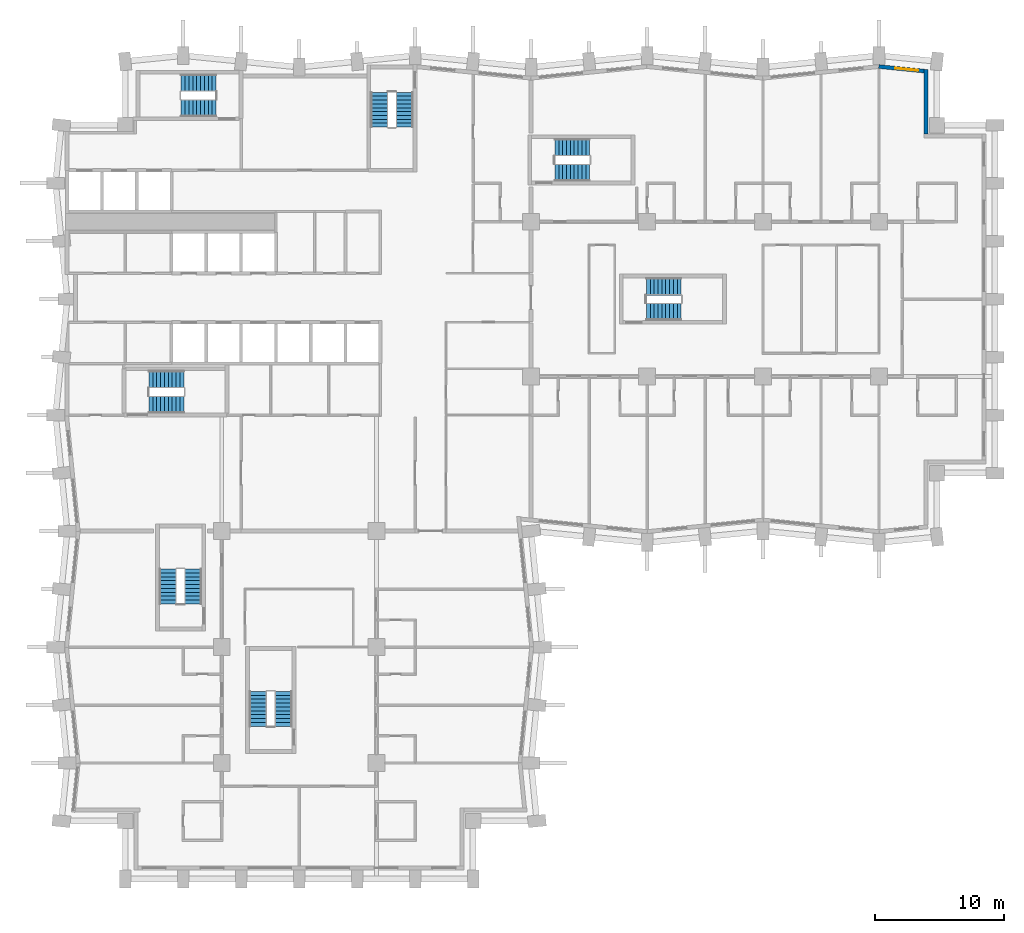
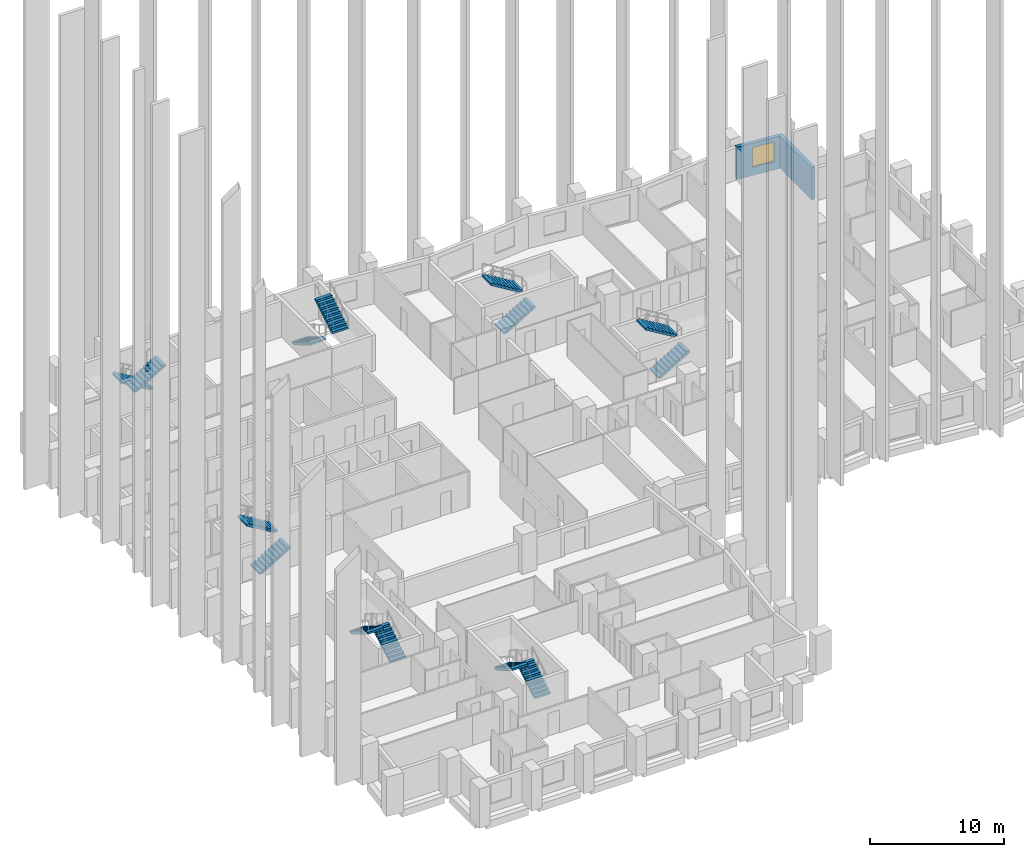
# One storey, part 11 of 13: 14 stair flights, 2 walls, 1 window, 1 opening, 7 elements without a shape of their own.
"""IFC4 building model written with IfcOpenShell, lengths in metres."""

from ifc_helpers import new_model, si_unit, direction, frame, frame_2d, origin, place, context, subcontext, project, spatial, polyline, rectangle, outline, extrude, material, layer, layer_set, type_object, element, fill, aggregate, save


model = new_model("IFC4")

# Units and contexts
model_context = context("Model", 3, precision=1e-05, world=origin(), true_north=direction((0.0, 1.0)))
body_context = subcontext(model_context, "Body", "Model", "MODEL_VIEW")
ifc_project = project(units=[si_unit("LENGTHUNIT", "METRE"), si_unit("AREAUNIT", "SQUARE_METRE"), si_unit("VOLUMEUNIT", "CUBIC_METRE"), si_unit("PLANEANGLEUNIT", "RADIAN"), si_unit("MASSUNIT", "GRAM", prefix="KILO")], contexts=[model_context])

# Site, building, storey
site_placement = place(None, origin())
site = spatial("IfcSite", under=ifc_project, at=site_placement, CompositionType="ELEMENT")
building_placement = place(site_placement, origin())
building = spatial("IfcBuilding", under=site, at=building_placement, Name="Brondeck Convention Tower", CompositionType="ELEMENT")
storey_placement = place(building_placement, frame((0.0, 0.0, 37.5)))
storey = spatial("IfcBuildingStorey", under=building, at=storey_placement, Name="L06", CompositionType="ELEMENT", Elevation=37.5)

# Wall
ifc_material_1 = material(Name="Precast concrete C50/60 bronze finish", Category="concrete")
ifc_layer_1 = layer(ifc_material_1, 0.070068359375, Name="Bronze precast facing")
ifc_material_2 = material(Name="Mineral wool")
ifc_layer_2 = layer(ifc_material_2, 0.159912109375, Name="Insulation")
ifc_material_3 = material(Name="Concrete C35/45", Category="concrete")
ifc_layer_3 = layer(ifc_material_3, 0.070068359375, Name="Backing")
ifc_layer_set = layer_set([ifc_layer_1, ifc_layer_2, ifc_layer_3], Name="External infill wall, precast concrete C50/60 bronze facing")
wall_type = type_object("IfcWallType", Name="External infill wall, precast concrete C50/60 bronze facing", PredefinedType="SOLIDWALL", material=ifc_layer_set)
wall_1_placement = place(storey_placement, frame((66.64990234375, 62.81640625, 0.0), z_axis=(0.0, 0.0, 1.0), x_axis=(0.0, -1.0, 0.0)))
element("IfcWall", 1, at=wall_1_placement, inside=storey, type_object=wall_type, Name="ENV-EW-L06-P0-NC-NEA72-02", PredefinedType="SOLIDWALL", context=body_context, shape_type="SweptSolid", body=[
    extrude(rectangle(XDim=5.018310546875, YDim=0.300048828125, at=frame_2d((2.50927734375, 0.0))), origin(), (0.0, 0.0, 1.0), 2.949951171875),
])

# Wall, opening, window
wall_2_placement = place(storey_placement, frame((62.985107421875, 63.04736328125, 0.0), z_axis=(0.0, 0.0, 1.0), x_axis=(0.995031712439, -0.099558481511, 0.0)))
wall_2 = element("IfcWall", 2, at=wall_2_placement, inside=storey, type_object=wall_type, Name="ENV-EW-L06-P0-A-N-14", PredefinedType="SOLIDWALL", context=body_context, shape_type="SweptSolid", body=[
    extrude(rectangle(XDim=3.53125, YDim=0.300048828125, at=frame_2d((1.765625, 0.0))), origin(), (0.0, 0.0, 1.0), 2.949951171875),
])
opening_placement = place(wall_2_placement, frame((1.291259765625, 0.0, 0.75)))
opening = element("IfcOpeningElement", 3, at=opening_placement, cuts=wall_2, Name="Opening W10", PredefinedType="OPENING", context=body_context, shape_type="SweptSolid", body=[
    extrude(rectangle(XDim=1.800048828125, YDim=1.800048828125, at=frame_2d((0.89990234375, 0.89990234375))), frame((0.0, 0.159912109375, 0.0), z_axis=(0.0, -1.0, 0.0), x_axis=(1.0, 0.0, 0.0)), (0.0, 0.0, 1.0), 0.320068359375),
])
ifc_material_4 = material(Name="Bronze tinted double glazing", Category="glass")
window_type = type_object("IfcWindowType", Name="Punched window, bronze tinted", PartitioningType="SINGLE_PANEL", PredefinedType="WINDOW", material=ifc_material_4)
window_placement = place(opening_placement, origin())
window = element("IfcWindow", 4, at=window_placement, inside=storey, type_object=window_type, Name="ENV-WN-L06-P0-A-N-14", OverallHeight=1.800048828125, OverallWidth=1.800048828125, PartitioningType="SINGLE_PANEL", PredefinedType="WINDOW", context=body_context, shape_type="SweptSolid", body=[
    extrude(rectangle(XDim=1.800048828125, YDim=1.800048828125, at=frame_2d((0.89990234375, 0.89990234375))), frame((0.0, 0.030029296875, 0.0), z_axis=(0.0, -1.0, 0.0), x_axis=(1.0, 0.0, 0.0)), (0.0, 0.0, 1.0), 0.06005859375),
])
fill(opening, window)

# Stair, stair flights
ifc_material_5 = material(Name="Precast concrete C50/60", Category="concrete")
stair_type = type_object("IfcStairType", Name="Core stair 20 risers 180.00 mm riser 300 mm going 1350 wide", PredefinedType="HALF_TURN_STAIR", material=ifc_material_5)
stair_1_placement = place(storey_placement, origin())
stair_1 = element("IfcStair", 5, at=stair_1_placement, inside=storey, type_object=stair_type, Name="ST-1 L06 stair", PredefinedType="HALF_TURN_STAIR")
stair_flight_type = type_object("IfcStairFlightType", Name="Core stair flight 20 risers 180.00 mm riser 300 mm going 1350 wide", PredefinedType="STRAIGHT", material=ifc_material_5)
stair_flight_1_placement = place(storey_placement, frame((6.35009765625, 36.824951171875, 0.0), z_axis=(0.0, 0.0, 1.0), x_axis=(1.0, 0.0, 0.0)))
stair_flight_1 = element("IfcStairFlight", 6, at=stair_flight_1_placement, type_object=stair_flight_type, Name="ST-1 flight 1", NumberOfRisers=10, NumberOfTreads=9, PredefinedType="STRAIGHT", RiserHeight=0.18, TreadLength=0.3, context=body_context, shape_type="SweptSolid", body=[
    extrude(outline(polyline([(0.0, 0.0), (0.0, 0.179931640625), (0.300048828125, 0.179931640625), (0.300048828125, 0.360107421875), (0.60009765625, 0.360107421875), (0.60009765625, 0.5400390625), (0.89990234375, 0.5400390625), (0.89990234375, 0.719970703125), (1.199951171875, 0.719970703125), (1.199951171875, 0.89990234375), (1.5, 0.89990234375), (1.5, 1.080078125), (1.800048828125, 1.080078125), (1.800048828125, 1.260009765625), (2.10009765625, 1.260009765625), (2.10009765625, 1.43994140625), (2.39990234375, 1.43994140625), (2.39990234375, 1.6201171875), (2.699951171875, 1.6201171875), (2.699951171875, 1.800048828125), (2.699951171875, 1.445068359375), (0.291259765625, 0.0), (0.0, 0.0)])), frame((0.0, 0.675048828125, 0.0), z_axis=(0.0, -1.0, 0.0), x_axis=(1.0, 0.0, 0.0)), (0.0, 0.0, 1.0), 1.35009765625),
])
stair_flight_2_placement = place(storey_placement, frame((9.050048828125, 38.77490234375, 1.800048828125), z_axis=(0.0, 0.0, 1.0), x_axis=(-1.0, 0.0, 0.0)))
stair_flight_2 = element("IfcStairFlight", 7, at=stair_flight_2_placement, type_object=stair_flight_type, Name="ST-1 flight 2", NumberOfRisers=10, NumberOfTreads=9, PredefinedType="STRAIGHT", RiserHeight=0.18, TreadLength=0.3, context=body_context, shape_type="SweptSolid", body=[
    extrude(outline(polyline([(0.0, 0.0), (0.0, 0.179931640625), (0.300048828125, 0.179931640625), (0.300048828125, 0.360107421875), (0.60009765625, 0.360107421875), (0.60009765625, 0.5400390625), (0.89990234375, 0.5400390625), (0.89990234375, 0.719970703125), (1.199951171875, 0.719970703125), (1.199951171875, 0.89990234375), (1.5, 0.89990234375), (1.5, 1.080078125), (1.800048828125, 1.080078125), (1.800048828125, 1.260009765625), (2.10009765625, 1.260009765625), (2.10009765625, 1.43994140625), (2.39990234375, 1.43994140625), (2.39990234375, 1.6201171875), (2.699951171875, 1.6201171875), (2.699951171875, 1.800048828125), (2.699951171875, 1.445068359375), (0.291259765625, 0.0), (0.0, 0.0)])), frame((0.0, 0.675048828125, 0.0), z_axis=(0.0, -1.0, 0.0), x_axis=(1.0, 0.0, 0.0)), (0.0, 0.0, 1.0), 1.35009765625),
])
aggregate(stair_1, [stair_flight_1, stair_flight_2])

stair_2_placement = place(storey_placement, origin())
stair_2 = element("IfcStair", 8, at=stair_2_placement, inside=storey, type_object=stair_type, Name="ST-2 L06 stair", PredefinedType="HALF_TURN_STAIR")
stair_flight_3_placement = place(storey_placement, frame((24.22509765625, 61.050048828125, 0.0), z_axis=(0.0, 0.0, 1.0), x_axis=(0.0, -1.0, 0.0)))
stair_flight_3 = element("IfcStairFlight", 9, at=stair_flight_3_placement, type_object=stair_flight_type, Name="ST-2 flight 1", NumberOfRisers=10, NumberOfTreads=9, PredefinedType="STRAIGHT", RiserHeight=0.18, TreadLength=0.3, context=body_context, shape_type="SweptSolid", body=[
    extrude(outline(polyline([(0.0, 0.0), (0.0, 0.179931640625), (0.300048828125, 0.179931640625), (0.300048828125, 0.360107421875), (0.60009765625, 0.360107421875), (0.60009765625, 0.5400390625), (0.89990234375, 0.5400390625), (0.89990234375, 0.719970703125), (1.199951171875, 0.719970703125), (1.199951171875, 0.89990234375), (1.5, 0.89990234375), (1.5, 1.080078125), (1.800048828125, 1.080078125), (1.800048828125, 1.260009765625), (2.10009765625, 1.260009765625), (2.10009765625, 1.43994140625), (2.39990234375, 1.43994140625), (2.39990234375, 1.6201171875), (2.699951171875, 1.6201171875), (2.699951171875, 1.800048828125), (2.699951171875, 1.445068359375), (0.291259765625, 0.0), (0.0, 0.0)])), frame((0.0, 0.675048828125, 0.0), z_axis=(0.0, -1.0, 0.0), x_axis=(1.0, 0.0, 0.0)), (0.0, 0.0, 1.0), 1.35009765625),
])
stair_flight_4_placement = place(storey_placement, frame((26.175048828125, 58.35009765625, 1.800048828125), z_axis=(0.0, 0.0, 1.0), x_axis=(0.0, 1.0, 0.0)))
stair_flight_4 = element("IfcStairFlight", 10, at=stair_flight_4_placement, type_object=stair_flight_type, Name="ST-2 flight 2", NumberOfRisers=10, NumberOfTreads=9, PredefinedType="STRAIGHT", RiserHeight=0.18, TreadLength=0.3, context=body_context, shape_type="SweptSolid", body=[
    extrude(outline(polyline([(0.0, 0.0), (0.0, 0.179931640625), (0.300048828125, 0.179931640625), (0.300048828125, 0.360107421875), (0.60009765625, 0.360107421875), (0.60009765625, 0.5400390625), (0.89990234375, 0.5400390625), (0.89990234375, 0.719970703125), (1.199951171875, 0.719970703125), (1.199951171875, 0.89990234375), (1.5, 0.89990234375), (1.5, 1.080078125), (1.800048828125, 1.080078125), (1.800048828125, 1.260009765625), (2.10009765625, 1.260009765625), (2.10009765625, 1.43994140625), (2.39990234375, 1.43994140625), (2.39990234375, 1.6201171875), (2.699951171875, 1.6201171875), (2.699951171875, 1.800048828125), (2.699951171875, 1.445068359375), (0.291259765625, 0.0), (0.0, 0.0)])), frame((0.0, 0.675048828125, 0.0), z_axis=(0.0, -1.0, 0.0), x_axis=(1.0, 0.0, 0.0)), (0.0, 0.0, 1.0), 1.35009765625),
])
aggregate(stair_2, [stair_flight_3, stair_flight_4])

stair_3_placement = place(storey_placement, origin())
stair_3 = element("IfcStair", 11, at=stair_3_placement, inside=storey, type_object=stair_type, Name="ST-3 L06 stair", PredefinedType="HALF_TURN_STAIR")
stair_flight_5_placement = place(storey_placement, frame((11.550048828125, 61.77490234375, 0.0), z_axis=(0.0, 0.0, 1.0), x_axis=(-1.0, 0.0, 0.0)))
stair_flight_5 = element("IfcStairFlight", 12, at=stair_flight_5_placement, type_object=stair_flight_type, Name="ST-3 flight 1", NumberOfRisers=10, NumberOfTreads=9, PredefinedType="STRAIGHT", RiserHeight=0.18, TreadLength=0.3, context=body_context, shape_type="SweptSolid", body=[
    extrude(outline(polyline([(0.0, 0.0), (0.0, 0.179931640625), (0.300048828125, 0.179931640625), (0.300048828125, 0.360107421875), (0.60009765625, 0.360107421875), (0.60009765625, 0.5400390625), (0.89990234375, 0.5400390625), (0.89990234375, 0.719970703125), (1.199951171875, 0.719970703125), (1.199951171875, 0.89990234375), (1.5, 0.89990234375), (1.5, 1.080078125), (1.800048828125, 1.080078125), (1.800048828125, 1.260009765625), (2.10009765625, 1.260009765625), (2.10009765625, 1.43994140625), (2.39990234375, 1.43994140625), (2.39990234375, 1.6201171875), (2.699951171875, 1.6201171875), (2.699951171875, 1.800048828125), (2.699951171875, 1.445068359375), (0.291259765625, 0.0), (0.0, 0.0)])), frame((0.0, 0.675048828125, 0.0), z_axis=(0.0, -1.0, 0.0), x_axis=(1.0, 0.0, 0.0)), (0.0, 0.0, 1.0), 1.35009765625),
])
stair_flight_6_placement = place(storey_placement, frame((8.85009765625, 59.824951171875, 1.800048828125), z_axis=(0.0, 0.0, 1.0), x_axis=(1.0, 0.0, 0.0)))
stair_flight_6 = element("IfcStairFlight", 13, at=stair_flight_6_placement, type_object=stair_flight_type, Name="ST-3 flight 2", NumberOfRisers=10, NumberOfTreads=9, PredefinedType="STRAIGHT", RiserHeight=0.18, TreadLength=0.3, context=body_context, shape_type="SweptSolid", body=[
    extrude(outline(polyline([(0.0, 0.0), (0.0, 0.179931640625), (0.300048828125, 0.179931640625), (0.300048828125, 0.360107421875), (0.60009765625, 0.360107421875), (0.60009765625, 0.5400390625), (0.89990234375, 0.5400390625), (0.89990234375, 0.719970703125), (1.199951171875, 0.719970703125), (1.199951171875, 0.89990234375), (1.5, 0.89990234375), (1.5, 1.080078125), (1.800048828125, 1.080078125), (1.800048828125, 1.260009765625), (2.10009765625, 1.260009765625), (2.10009765625, 1.43994140625), (2.39990234375, 1.43994140625), (2.39990234375, 1.6201171875), (2.699951171875, 1.6201171875), (2.699951171875, 1.800048828125), (2.699951171875, 1.445068359375), (0.291259765625, 0.0), (0.0, 0.0)])), frame((0.0, 0.675048828125, 0.0), z_axis=(0.0, -1.0, 0.0), x_axis=(1.0, 0.0, 0.0)), (0.0, 0.0, 1.0), 1.35009765625),
])
aggregate(stair_3, [stair_flight_5, stair_flight_6])

stair_4_placement = place(storey_placement, origin())
stair_4 = element("IfcStair", 14, at=stair_4_placement, inside=storey, type_object=stair_type, Name="ST-AE L06 stair", PredefinedType="HALF_TURN_STAIR")
stair_flight_7_placement = place(storey_placement, frame((37.85009765625, 54.824951171875, 0.0), z_axis=(0.0, 0.0, 1.0), x_axis=(1.0, 0.0, 0.0)))
stair_flight_7 = element("IfcStairFlight", 15, at=stair_flight_7_placement, type_object=stair_flight_type, Name="ST-AE flight 1", NumberOfRisers=10, NumberOfTreads=9, PredefinedType="STRAIGHT", RiserHeight=0.18, TreadLength=0.3, context=body_context, shape_type="SweptSolid", body=[
    extrude(outline(polyline([(0.0, 0.0), (0.0, 0.179931640625), (0.300048828125, 0.179931640625), (0.300048828125, 0.360107421875), (0.60009765625, 0.360107421875), (0.60009765625, 0.5400390625), (0.89990234375, 0.5400390625), (0.89990234375, 0.719970703125), (1.199951171875, 0.719970703125), (1.199951171875, 0.89990234375), (1.5, 0.89990234375), (1.5, 1.080078125), (1.800048828125, 1.080078125), (1.800048828125, 1.260009765625), (2.10009765625, 1.260009765625), (2.10009765625, 1.43994140625), (2.39990234375, 1.43994140625), (2.39990234375, 1.6201171875), (2.699951171875, 1.6201171875), (2.699951171875, 1.800048828125), (2.699951171875, 1.445068359375), (0.291259765625, 0.0), (0.0, 0.0)])), frame((0.0, 0.675048828125, 0.0), z_axis=(0.0, -1.0, 0.0), x_axis=(1.0, 0.0, 0.0)), (0.0, 0.0, 1.0), 1.35009765625),
])
stair_flight_8_placement = place(storey_placement, frame((40.550048828125, 56.77490234375, 1.800048828125), z_axis=(0.0, 0.0, 1.0), x_axis=(-1.0, 0.0, 0.0)))
stair_flight_8 = element("IfcStairFlight", 16, at=stair_flight_8_placement, type_object=stair_flight_type, Name="ST-AE flight 2", NumberOfRisers=10, NumberOfTreads=9, PredefinedType="STRAIGHT", RiserHeight=0.18, TreadLength=0.3, context=body_context, shape_type="SweptSolid", body=[
    extrude(outline(polyline([(0.0, 0.0), (0.0, 0.179931640625), (0.300048828125, 0.179931640625), (0.300048828125, 0.360107421875), (0.60009765625, 0.360107421875), (0.60009765625, 0.5400390625), (0.89990234375, 0.5400390625), (0.89990234375, 0.719970703125), (1.199951171875, 0.719970703125), (1.199951171875, 0.89990234375), (1.5, 0.89990234375), (1.5, 1.080078125), (1.800048828125, 1.080078125), (1.800048828125, 1.260009765625), (2.10009765625, 1.260009765625), (2.10009765625, 1.43994140625), (2.39990234375, 1.43994140625), (2.39990234375, 1.6201171875), (2.699951171875, 1.6201171875), (2.699951171875, 1.800048828125), (2.699951171875, 1.445068359375), (0.291259765625, 0.0), (0.0, 0.0)])), frame((0.0, 0.675048828125, 0.0), z_axis=(0.0, -1.0, 0.0), x_axis=(1.0, 0.0, 0.0)), (0.0, 0.0, 1.0), 1.35009765625),
])
aggregate(stair_4, [stair_flight_7, stair_flight_8])

stair_5_placement = place(storey_placement, origin())
stair_5 = element("IfcStair", 17, at=stair_5_placement, inside=storey, type_object=stair_type, Name="ST-BE L06 stair", PredefinedType="HALF_TURN_STAIR")
stair_flight_9_placement = place(storey_placement, frame((9.77490234375, 21.35009765625, 0.0), z_axis=(0.0, 0.0, 1.0), x_axis=(0.0, 1.0, 0.0)))
stair_flight_9 = element("IfcStairFlight", 18, at=stair_flight_9_placement, type_object=stair_flight_type, Name="ST-BE flight 1", NumberOfRisers=10, NumberOfTreads=9, PredefinedType="STRAIGHT", RiserHeight=0.18, TreadLength=0.3, context=body_context, shape_type="SweptSolid", body=[
    extrude(outline(polyline([(0.0, 0.0), (0.0, 0.179931640625), (0.300048828125, 0.179931640625), (0.300048828125, 0.360107421875), (0.60009765625, 0.360107421875), (0.60009765625, 0.5400390625), (0.89990234375, 0.5400390625), (0.89990234375, 0.719970703125), (1.199951171875, 0.719970703125), (1.199951171875, 0.89990234375), (1.5, 0.89990234375), (1.5, 1.080078125), (1.800048828125, 1.080078125), (1.800048828125, 1.260009765625), (2.10009765625, 1.260009765625), (2.10009765625, 1.43994140625), (2.39990234375, 1.43994140625), (2.39990234375, 1.6201171875), (2.699951171875, 1.6201171875), (2.699951171875, 1.800048828125), (2.699951171875, 1.445068359375), (0.291259765625, 0.0), (0.0, 0.0)])), frame((0.0, 0.675048828125, 0.0), z_axis=(0.0, -1.0, 0.0), x_axis=(1.0, 0.0, 0.0)), (0.0, 0.0, 1.0), 1.35009765625),
])
stair_flight_10_placement = place(storey_placement, frame((7.824951171875, 24.050048828125, 1.800048828125), z_axis=(0.0, 0.0, 1.0), x_axis=(0.0, -1.0, 0.0)))
stair_flight_10 = element("IfcStairFlight", 19, at=stair_flight_10_placement, type_object=stair_flight_type, Name="ST-BE flight 2", NumberOfRisers=10, NumberOfTreads=9, PredefinedType="STRAIGHT", RiserHeight=0.18, TreadLength=0.3, context=body_context, shape_type="SweptSolid", body=[
    extrude(outline(polyline([(0.0, 0.0), (0.0, 0.179931640625), (0.300048828125, 0.179931640625), (0.300048828125, 0.360107421875), (0.60009765625, 0.360107421875), (0.60009765625, 0.5400390625), (0.89990234375, 0.5400390625), (0.89990234375, 0.719970703125), (1.199951171875, 0.719970703125), (1.199951171875, 0.89990234375), (1.5, 0.89990234375), (1.5, 1.080078125), (1.800048828125, 1.080078125), (1.800048828125, 1.260009765625), (2.10009765625, 1.260009765625), (2.10009765625, 1.43994140625), (2.39990234375, 1.43994140625), (2.39990234375, 1.6201171875), (2.699951171875, 1.6201171875), (2.699951171875, 1.800048828125), (2.699951171875, 1.445068359375), (0.291259765625, 0.0), (0.0, 0.0)])), frame((0.0, 0.675048828125, 0.0), z_axis=(0.0, -1.0, 0.0), x_axis=(1.0, 0.0, 0.0)), (0.0, 0.0, 1.0), 1.35009765625),
])
aggregate(stair_5, [stair_flight_9, stair_flight_10])

stair_6_placement = place(storey_placement, origin())
stair_6 = element("IfcStair", 20, at=stair_6_placement, inside=storey, type_object=stair_type, Name="ST-AF L06 stair", PredefinedType="HALF_TURN_STAIR")
stair_flight_11_placement = place(storey_placement, frame((44.949951171875, 44.02490234375, 0.0), z_axis=(0.0, 0.0, 1.0), x_axis=(1.0, 0.0, 0.0)))
stair_flight_11 = element("IfcStairFlight", 21, at=stair_flight_11_placement, type_object=stair_flight_type, Name="ST-AF flight 1", NumberOfRisers=10, NumberOfTreads=9, PredefinedType="STRAIGHT", RiserHeight=0.18, TreadLength=0.3, context=body_context, shape_type="SweptSolid", body=[
    extrude(outline(polyline([(0.0, 0.0), (0.0, 0.179931640625), (0.300048828125, 0.179931640625), (0.300048828125, 0.360107421875), (0.60009765625, 0.360107421875), (0.60009765625, 0.5400390625), (0.89990234375, 0.5400390625), (0.89990234375, 0.719970703125), (1.199951171875, 0.719970703125), (1.199951171875, 0.89990234375), (1.5, 0.89990234375), (1.5, 1.080078125), (1.800048828125, 1.080078125), (1.800048828125, 1.260009765625), (2.10009765625, 1.260009765625), (2.10009765625, 1.43994140625), (2.39990234375, 1.43994140625), (2.39990234375, 1.6201171875), (2.699951171875, 1.6201171875), (2.699951171875, 1.800048828125), (2.699951171875, 1.445068359375), (0.291259765625, 0.0), (0.0, 0.0)])), frame((0.0, 0.675048828125, 0.0), z_axis=(0.0, -1.0, 0.0), x_axis=(1.0, 0.0, 0.0)), (0.0, 0.0, 1.0), 1.35009765625),
])
stair_flight_12_placement = place(storey_placement, frame((47.64990234375, 45.97509765625, 1.800048828125), z_axis=(0.0, 0.0, 1.0), x_axis=(-1.0, 0.0, 0.0)))
stair_flight_12 = element("IfcStairFlight", 22, at=stair_flight_12_placement, type_object=stair_flight_type, Name="ST-AF flight 2", NumberOfRisers=10, NumberOfTreads=9, PredefinedType="STRAIGHT", RiserHeight=0.18, TreadLength=0.3, context=body_context, shape_type="SweptSolid", body=[
    extrude(outline(polyline([(0.0, 0.0), (0.0, 0.179931640625), (0.300048828125, 0.179931640625), (0.300048828125, 0.360107421875), (0.60009765625, 0.360107421875), (0.60009765625, 0.5400390625), (0.89990234375, 0.5400390625), (0.89990234375, 0.719970703125), (1.199951171875, 0.719970703125), (1.199951171875, 0.89990234375), (1.5, 0.89990234375), (1.5, 1.080078125), (1.800048828125, 1.080078125), (1.800048828125, 1.260009765625), (2.10009765625, 1.260009765625), (2.10009765625, 1.43994140625), (2.39990234375, 1.43994140625), (2.39990234375, 1.6201171875), (2.699951171875, 1.6201171875), (2.699951171875, 1.800048828125), (2.699951171875, 1.445068359375), (0.291259765625, 0.0), (0.0, 0.0)])), frame((0.0, 0.675048828125, 0.0), z_axis=(0.0, -1.0, 0.0), x_axis=(1.0, 0.0, 0.0)), (0.0, 0.0, 1.0), 1.35009765625),
])
aggregate(stair_6, [stair_flight_11, stair_flight_12])

stair_7_placement = place(storey_placement, origin())
stair_7 = element("IfcStair", 23, at=stair_7_placement, inside=storey, type_object=stair_type, Name="ST-BF L06 stair", PredefinedType="HALF_TURN_STAIR")
stair_flight_13_placement = place(storey_placement, frame((16.77490234375, 11.85009765625, 0.0), z_axis=(0.0, 0.0, 1.0), x_axis=(0.0, 1.0, 0.0)))
stair_flight_13 = element("IfcStairFlight", 24, at=stair_flight_13_placement, type_object=stair_flight_type, Name="ST-BF flight 1", NumberOfRisers=10, NumberOfTreads=9, PredefinedType="STRAIGHT", RiserHeight=0.18, TreadLength=0.3, context=body_context, shape_type="SweptSolid", body=[
    extrude(outline(polyline([(0.0, 0.0), (0.0, 0.179931640625), (0.300048828125, 0.179931640625), (0.300048828125, 0.360107421875), (0.60009765625, 0.360107421875), (0.60009765625, 0.5400390625), (0.89990234375, 0.5400390625), (0.89990234375, 0.719970703125), (1.199951171875, 0.719970703125), (1.199951171875, 0.89990234375), (1.5, 0.89990234375), (1.5, 1.080078125), (1.800048828125, 1.080078125), (1.800048828125, 1.260009765625), (2.10009765625, 1.260009765625), (2.10009765625, 1.43994140625), (2.39990234375, 1.43994140625), (2.39990234375, 1.6201171875), (2.699951171875, 1.6201171875), (2.699951171875, 1.800048828125), (2.699951171875, 1.445068359375), (0.291259765625, 0.0), (0.0, 0.0)])), frame((0.0, 0.675048828125, 0.0), z_axis=(0.0, -1.0, 0.0), x_axis=(1.0, 0.0, 0.0)), (0.0, 0.0, 1.0), 1.35009765625),
])
stair_flight_14_placement = place(storey_placement, frame((14.824951171875, 14.550048828125, 1.800048828125), z_axis=(0.0, 0.0, 1.0), x_axis=(0.0, -1.0, 0.0)))
stair_flight_14 = element("IfcStairFlight", 25, at=stair_flight_14_placement, type_object=stair_flight_type, Name="ST-BF flight 2", NumberOfRisers=10, NumberOfTreads=9, PredefinedType="STRAIGHT", RiserHeight=0.18, TreadLength=0.3, context=body_context, shape_type="SweptSolid", body=[
    extrude(outline(polyline([(0.0, 0.0), (0.0, 0.179931640625), (0.300048828125, 0.179931640625), (0.300048828125, 0.360107421875), (0.60009765625, 0.360107421875), (0.60009765625, 0.5400390625), (0.89990234375, 0.5400390625), (0.89990234375, 0.719970703125), (1.199951171875, 0.719970703125), (1.199951171875, 0.89990234375), (1.5, 0.89990234375), (1.5, 1.080078125), (1.800048828125, 1.080078125), (1.800048828125, 1.260009765625), (2.10009765625, 1.260009765625), (2.10009765625, 1.43994140625), (2.39990234375, 1.43994140625), (2.39990234375, 1.6201171875), (2.699951171875, 1.6201171875), (2.699951171875, 1.800048828125), (2.699951171875, 1.445068359375), (0.291259765625, 0.0), (0.0, 0.0)])), frame((0.0, 0.675048828125, 0.0), z_axis=(0.0, -1.0, 0.0), x_axis=(1.0, 0.0, 0.0)), (0.0, 0.0, 1.0), 1.35009765625),
])
aggregate(stair_7, [stair_flight_13, stair_flight_14])

save(model, "model.ifc")
